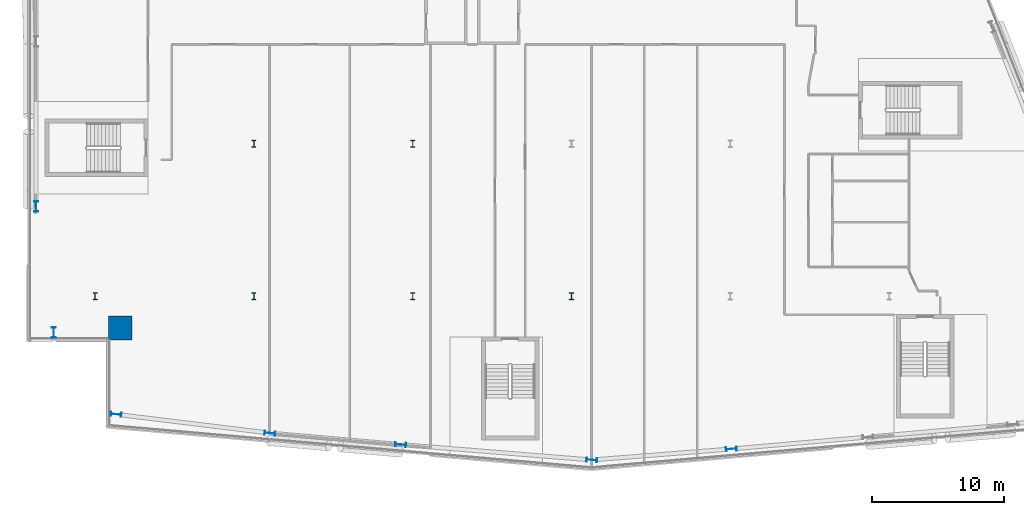
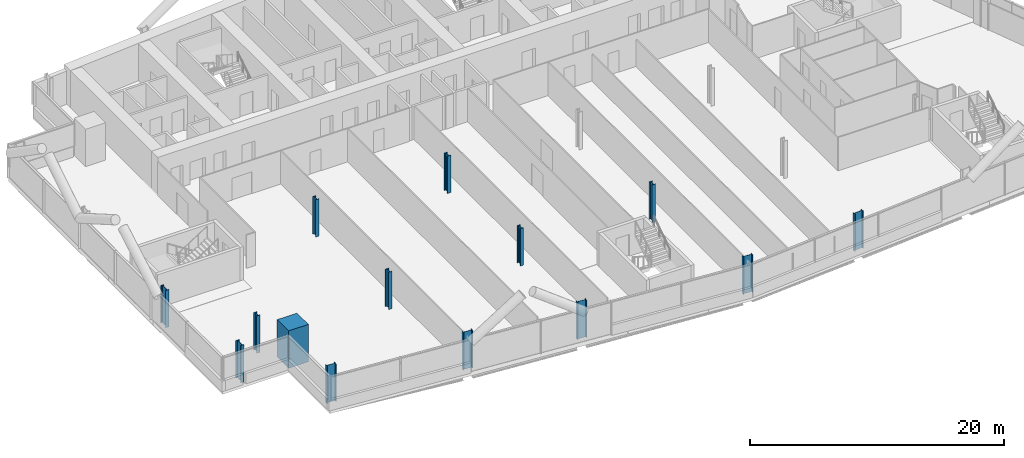
# One storey, part 1 of 25: 14 columns.
"""IFC4 building model written with IfcOpenShell, lengths in metres."""

from ifc_helpers import new_model, si_unit, direction, frame, origin, origin_2d, place, context, subcontext, project, spatial, rectangle, i_section, extrude, material, material_profile, profile_set, type_object, element, save


model = new_model("IFC4")

# Units and contexts
model_context = context("Model", 3, precision=1e-05, world=origin(), true_north=direction((0.0, 1.0)))
body_context = subcontext(model_context, "Body", "Model", "MODEL_VIEW")
ifc_project = project(units=[si_unit("LENGTHUNIT", "METRE"), si_unit("AREAUNIT", "SQUARE_METRE"), si_unit("VOLUMEUNIT", "CUBIC_METRE"), si_unit("PLANEANGLEUNIT", "RADIAN"), si_unit("MASSUNIT", "GRAM", prefix="KILO")], contexts=[model_context])

# Site, building, storey
site_placement = place(None, origin())
site = spatial("IfcSite", under=ifc_project, at=site_placement, CompositionType="ELEMENT")
building_placement = place(site_placement, origin())
building = spatial("IfcBuilding", under=site, at=building_placement, Name="Wharfspan Tower", CompositionType="ELEMENT")
storey_placement = place(building_placement, frame((0.0, 0.0, 129.100098)))
storey = spatial("IfcBuildingStorey", under=building, at=storey_placement, Name="L30", CompositionType="ELEMENT", Elevation=129.100098)

# Columns
ifc_material_1 = material(Name="Steel S355J2", Category="steel")
ifc_material_profile_1 = material_profile(ifc_material_1, i_section(OverallWidth=0.305908, OverallDepth=0.523926, WebThickness=0.020996, FlangeThickness=0.040039, FilletRadius=0.0271, at=origin_2d()))
ifc_profile_set_1 = profile_set([ifc_material_profile_1], Name="Steel S355J2")
column_type_1 = type_object("IfcColumnType", Name="Column HEM 500", PredefinedType="COLUMN", material=ifc_profile_set_1)
for number, where, z_axis, x_axis, name in (
    (1, (12.0, 11.5, 0.0), (0.0, 0.0, 1.0), (1.0, 0.0, 0.0), "Interior column I.1.1 L30"),
    (2, (24.0, 11.5, 0.0), (0.0, 0.0, 1.0), (1.0, 0.0, 0.0), "Interior column I.1.2 L30"),
    (3, (36.0, 11.5, 0.0), (0.0, 0.0, 1.0), (1.0, 0.0, 0.0), "Interior column I.1.3 L30"),
    (4, (48.0, 11.5, 0.0), (0.0, 0.0, 1.0), (1.0, 0.0, 0.0), "Interior column I.1.4 L30"),
    (5, (24.0, 23.0, 0.0), (0.0, 0.0, 1.0), (1.0, 0.0, 0.0), "Interior column I.2.1 L30"),
    (6, (36.0, 23.0, 0.0), (0.0, 0.0, 1.0), (1.0, 0.0, 0.0), "Interior column I.2.2 L30"),
):
    element("IfcColumn", number, at=place(storey_placement, frame(where, z_axis=z_axis, x_axis=x_axis)), inside=storey, type_object=column_type_1, Name=name, PredefinedType="COLUMN", context=body_context, shape_type="SweptSolid", body=[
        extrude(i_section(OverallWidth=0.305908, OverallDepth=0.523926, WebThickness=0.020996, FlangeThickness=0.040039, FilletRadius=0.0271, at=origin_2d()), origin(), (0.0, 0.0, 1.0), 3.599854),
    ])
ifc_material_profile_2 = material_profile(ifc_material_1, i_section(OverallWidth=0.302979, OverallDepth=0.813965, WebThickness=0.020996, FlangeThickness=0.040039, FilletRadius=0.030029, at=origin_2d()))
ifc_profile_set_2 = profile_set([ifc_material_profile_2], Name="Steel S355J2")
column_type_2 = type_object("IfcColumnType", Name="Column HEM 800", PredefinedType="COLUMN", material=ifc_profile_set_2)
for number, where, z_axis, x_axis, name in (
    (7, (13.590576, 2.569336, 0.0), (0.0, 0.0, 1.0), (-0.087156, -0.996198, 0.0), "Perimeter column PS1.1 L30"),
    (8, (25.213623, 1.148682, 0.0), (0.0, 0.0, 1.0), (-0.087156, -0.996198, 0.0), "Perimeter column PS1.2 L30"),
    (9, (35.089111, 0.284668, 0.0), (0.0, 0.0, 1.0), (-0.087156, -0.996198, 0.0), "Perimeter column PS1.3 L30"),
    (10, (49.53125, -0.881592, 0.0), (0.0, 0.0, 1.0), (-0.087156, -0.996198, 0.0), "Perimeter column PS1.4 L30"),
    (11, (60.077881, -0.050781, 0.0), (0.0, 0.0, 1.0), (0.087156, -0.996198, 0.0), "Perimeter column PS2.1 L30"),
    (12, (7.540039, 18.266602, 0.0), (0.0, 0.0, 1.0), (-1.0, 0.0, 0.0), "Perimeter column PW.2 L30"),
    (13, (8.884521, 8.742676, 0.0), (0.0, 0.0, 1.0), (-1.0, 0.0, 0.0), "Perimeter column PW.3 L30"),
):
    element("IfcColumn", number, at=place(storey_placement, frame(where, z_axis=z_axis, x_axis=x_axis)), inside=storey, type_object=column_type_2, Name=name, PredefinedType="COLUMN", context=body_context, shape_type="SweptSolid", body=[
        extrude(i_section(OverallWidth=0.302979, OverallDepth=0.813965, WebThickness=0.020996, FlangeThickness=0.040039, FilletRadius=0.030029, at=origin_2d()), origin(), (0.0, 0.0, 1.0), 3.599854),
    ])
ifc_material_2 = material(Name="Concrete C70/85", Category="concrete")
ifc_material_profile_3 = material_profile(ifc_material_2, rectangle(XDim=1.800049, YDim=1.800049, at=origin_2d()))
ifc_profile_set_3 = profile_set([ifc_material_profile_3], Name="Concrete C70/85")
column_type_3 = type_object("IfcColumnType", Name="Mega column 1800 C70/85", PredefinedType="COLUMN", material=ifc_profile_set_3)
column_placement = place(storey_placement, frame((13.899902, 9.100098, 0.0), z_axis=(0.0, 0.0, 1.0), x_axis=(1.0, 0.0, 0.0)))
element("IfcColumn", 14, at=column_placement, inside=storey, type_object=column_type_3, Name="Mega column MC1 L30", PredefinedType="COLUMN", context=body_context, shape_type="SweptSolid", body=[
    extrude(rectangle(XDim=1.800049, YDim=1.800049, at=origin_2d()), origin(), (0.0, 0.0, 1.0), 3.599854),
])

save(model, "model.ifc")
